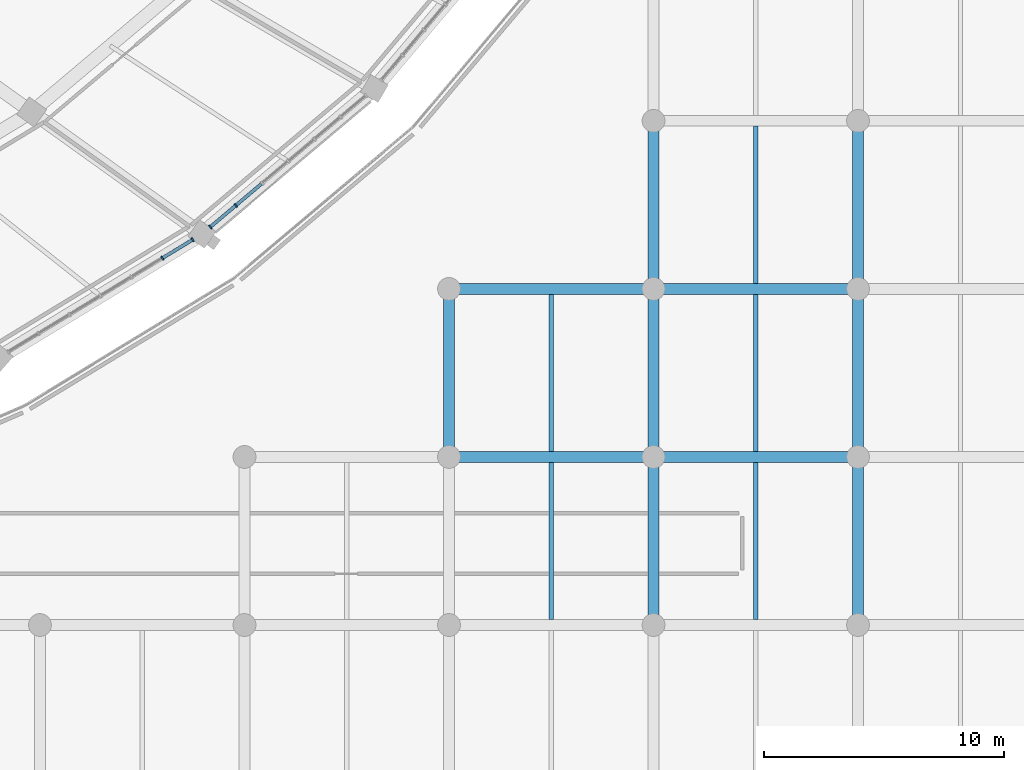
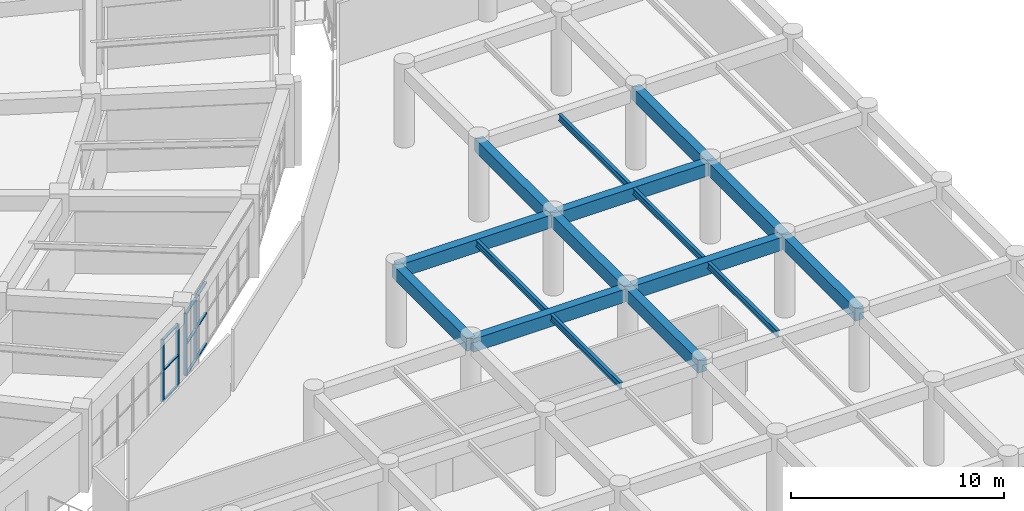
# One storey, part 42 of 152: 16 beams, 13 members, 2 elements without a shape of their own.
"""IFC4 building model written with IfcOpenShell, lengths in metres."""

from ifc_helpers import new_model, si_unit, direction, frame, origin, origin_2d, place, context, subcontext, project, spatial, rectangle, i_section, extrude, material, layer, layer_set, material_profile, profile_set, type_object, element, aggregate, save


model = new_model("IFC4")

# Units and contexts
model_context = context("Model", 3, precision=1e-05, world=origin(), true_north=direction((0.0, 1.0)))
body_context = subcontext(model_context, "Body", "Model", "MODEL_VIEW")
ifc_project = project(units=[si_unit("LENGTHUNIT", "METRE"), si_unit("AREAUNIT", "SQUARE_METRE"), si_unit("VOLUMEUNIT", "CUBIC_METRE"), si_unit("PLANEANGLEUNIT", "RADIAN"), si_unit("MASSUNIT", "GRAM", prefix="KILO")], contexts=[model_context])

# Site, building, storey
site_placement = place(None, origin())
site = spatial("IfcSite", under=ifc_project, at=site_placement, CompositionType="ELEMENT")
building_placement = place(site_placement, origin())
building = spatial("IfcBuilding", under=site, at=building_placement, Name="Mphavela Belvedere Stadium", CompositionType="ELEMENT")
storey_placement = place(building_placement, frame((0.0, 0.0, 5.39990234375)))
storey = spatial("IfcBuildingStorey", under=building, at=storey_placement, Name="L01", CompositionType="ELEMENT", Elevation=5.39990234375)

# Beams
ifc_material_1 = material(Name="Steel S355", Category="steel")
ifc_material_profile_1 = material_profile(ifc_material_1, i_section(OverallWidth=0.169921875, OverallDepth=0.360107421875, WebThickness=0.008056640625, FlangeThickness=0.0126953125, at=origin_2d()), Name="IPE 360")
ifc_profile_set_1 = profile_set([ifc_material_profile_1], Name="Steel S355")
beam_type_1 = type_object("IfcBeamType", Name="BM-JOIST-IPE360", PredefinedType="JOIST", material=ifc_profile_set_1)
for number, where, z_axis, x_axis, name in (
    (1, (208.70361328125, 14.22509765625, 4.360107421875), (0.0, 1.0, 0.0), (-1.0, 0.0, 0.0), "South Axial Triumphal Peristyle Portico secondary joist L01 25-3"),
    (2, (208.70361328125, 21.22509765625, 4.360107421875), (0.0, 1.0, 0.0), (-1.0, 0.0, 0.0), "South Axial Triumphal Peristyle Portico secondary joist L01 25-4"),
    (3, (217.221923828125, 14.22509765625, 4.360107421875), (0.0, 1.0, 0.0), (-1.0, 0.0, 0.0), "South Axial Triumphal Peristyle Portico secondary joist L01 26-3"),
    (4, (217.221923828125, 21.22509765625, 4.360107421875), (0.0, 1.0, 0.0), (-1.0, 0.0, 0.0), "South Axial Triumphal Peristyle Portico secondary joist L01 26-4"),
    (5, (217.221923828125, 28.22509765625, 4.360107421875), (0.0, 1.0, 0.0), (-1.0, 0.0, 0.0), "South Axial Triumphal Peristyle Portico secondary joist L01 26-5"),
):
    element("IfcBeam", number, at=place(storey_placement, frame(where, z_axis=z_axis, x_axis=x_axis)), inside=storey, type_object=beam_type_1, Name=name, PredefinedType="JOIST", context=body_context, shape_type="SweptSolid", body=[
        extrude(i_section(OverallWidth=0.169921875, OverallDepth=0.360107421875, WebThickness=0.008056640625, FlangeThickness=0.0126953125, at=origin_2d()), origin(), (0.0, 0.0, 1.0), 6.5498046875),
    ])
ifc_material_2 = material(Name="Concrete C40/50", Category="concrete")
ifc_material_profile_2 = material_profile(ifc_material_2, rectangle(XDim=0.449951171875, YDim=0.75, at=origin_2d()), Name="RC 450x750")
ifc_profile_set_2 = profile_set([ifc_material_profile_2], Name="Concrete C40/50")
beam_type_2 = type_object("IfcBeamType", Name="BM-RC450x750", PredefinedType="BEAM", material=ifc_profile_set_2)
beam_1_placement = place(storey_placement, frame((204.444091796875, 21.0, 4.1650390625), z_axis=(1.0, 0.0, 0.0), x_axis=(0.0, 1.0, 0.0)))
element("IfcBeam", 6, at=beam_1_placement, inside=storey, type_object=beam_type_2, Name="South Axial Triumphal Peristyle Portico entablature beam X L01 25-4", PredefinedType="BEAM", context=body_context, shape_type="SweptSolid", body=[
    extrude(rectangle(XDim=0.449951171875, YDim=0.75, at=origin_2d()), origin(), (0.0, 0.0, 1.0), 8.518798828125),
])
beam_2_placement = place(storey_placement, frame((204.444091796875, 21.0, 4.1650390625), z_axis=(0.0, 1.0, 0.0), x_axis=(-1.0, 0.0, 0.0)))
element("IfcBeam", 7, at=beam_2_placement, inside=storey, type_object=beam_type_2, Name="South Axial Triumphal Peristyle Portico entablature beam Y L01 25-4", PredefinedType="BEAM", context=body_context, shape_type="SweptSolid", body=[
    extrude(rectangle(XDim=0.449951171875, YDim=0.75, at=origin_2d()), origin(), (0.0, 0.0, 1.0), 7.0),
])
beam_3_placement = place(storey_placement, frame((204.444091796875, 28.0, 4.1650390625), z_axis=(1.0, 0.0, 0.0), x_axis=(0.0, 1.0, 0.0)))
element("IfcBeam", 8, at=beam_3_placement, inside=storey, type_object=beam_type_2, Name="South Axial Triumphal Peristyle Portico entablature beam X L01 25-5", PredefinedType="BEAM", context=body_context, shape_type="SweptSolid", body=[
    extrude(rectangle(XDim=0.449951171875, YDim=0.75, at=origin_2d()), origin(), (0.0, 0.0, 1.0), 8.518798828125),
])
beam_4_placement = place(storey_placement, frame((212.962890625, 14.0, 4.1650390625), z_axis=(0.0, 1.0, 0.0), x_axis=(-1.0, 0.0, 0.0)))
element("IfcBeam", 9, at=beam_4_placement, inside=storey, type_object=beam_type_2, Name="South Axial Triumphal Peristyle Portico entablature beam Y L01 26-3", PredefinedType="BEAM", context=body_context, shape_type="SweptSolid", body=[
    extrude(rectangle(XDim=0.449951171875, YDim=0.75, at=origin_2d()), origin(), (0.0, 0.0, 1.0), 7.0),
])
beam_5_placement = place(storey_placement, frame((212.962890625, 21.0, 4.1650390625), z_axis=(1.0, 0.0, 0.0), x_axis=(0.0, 1.0, 0.0)))
element("IfcBeam", 10, at=beam_5_placement, inside=storey, type_object=beam_type_2, Name="South Axial Triumphal Peristyle Portico entablature beam X L01 26-4", PredefinedType="BEAM", context=body_context, shape_type="SweptSolid", body=[
    extrude(rectangle(XDim=0.449951171875, YDim=0.75, at=origin_2d()), origin(), (0.0, 0.0, 1.0), 8.51806640625),
])
beam_6_placement = place(storey_placement, frame((212.962890625, 21.0, 4.1650390625), z_axis=(0.0, 1.0, 0.0), x_axis=(-1.0, 0.0, 0.0)))
element("IfcBeam", 11, at=beam_6_placement, inside=storey, type_object=beam_type_2, Name="South Axial Triumphal Peristyle Portico entablature beam Y L01 26-4", PredefinedType="BEAM", context=body_context, shape_type="SweptSolid", body=[
    extrude(rectangle(XDim=0.449951171875, YDim=0.75, at=origin_2d()), origin(), (0.0, 0.0, 1.0), 7.0),
])
beam_7_placement = place(storey_placement, frame((212.962890625, 28.0, 4.1650390625), z_axis=(1.0, 0.0, 0.0), x_axis=(0.0, 1.0, 0.0)))
element("IfcBeam", 12, at=beam_7_placement, inside=storey, type_object=beam_type_2, Name="South Axial Triumphal Peristyle Portico entablature beam X L01 26-5", PredefinedType="BEAM", context=body_context, shape_type="SweptSolid", body=[
    extrude(rectangle(XDim=0.449951171875, YDim=0.75, at=origin_2d()), origin(), (0.0, 0.0, 1.0), 8.51806640625),
])
for number, where, z_axis, x_axis, name in (
    (13, (212.962890625, 28.0, 4.1650390625), (0.0, 1.0, 0.0), (-1.0, 0.0, 0.0), "South Axial Triumphal Peristyle Portico entablature beam Y L01 26-5"),
    (14, (221.48095703125, 14.0, 4.1650390625), (0.0, 1.0, 0.0), (-1.0, 0.0, 0.0), "South Axial Triumphal Peristyle Portico entablature beam Y L01 27-3"),
    (15, (221.48095703125, 21.0, 4.1650390625), (0.0, 1.0, 0.0), (-1.0, 0.0, 0.0), "South Axial Triumphal Peristyle Portico entablature beam Y L01 27-4"),
    (16, (221.48095703125, 28.0, 4.1650390625), (0.0, 1.0, 0.0), (-1.0, 0.0, 0.0), "South Axial Triumphal Peristyle Portico entablature beam Y L01 27-5"),
):
    element("IfcBeam", number, at=place(storey_placement, frame(where, z_axis=z_axis, x_axis=x_axis)), inside=storey, type_object=beam_type_2, Name=name, PredefinedType="BEAM", context=body_context, shape_type="SweptSolid", body=[
        extrude(rectangle(XDim=0.449951171875, YDim=0.75, at=origin_2d()), origin(), (0.0, 0.0, 1.0), 7.0),
    ])

# Curtain wall, members
ifc_material_3 = material(Name="Anodised bronze unitised curtain wall framing")
ifc_layer_1 = layer(ifc_material_3, 0.18505859375)
ifc_layer_set_1 = layer_set([ifc_layer_1], Name="Anodised bronze unitised curtain wall framing")
curtain_wall_type_1 = type_object("IfcCurtainWallType", Name="CW-UNIT-02", PredefinedType="USERDEFINED", material=ifc_layer_set_1)
curtain_wall_1_placement = place(storey_placement, origin())
curtain_wall_1 = element("IfcCurtainWall", 17, at=curtain_wall_1_placement, inside=storey, type_object=curtain_wall_type_1, Name="Belvedere colonnade curtain wall L01-42", ObjectType="UNITISED CURTAIN WALL", PredefinedType="USERDEFINED")
ifc_material_4 = material(Name="Anodised bronze extruded aluminium", Category="aluminium")
ifc_material_profile_3 = material_profile(ifc_material_4, rectangle(XDim=0.179931640625, YDim=0.06494140625, at=origin_2d()), Name="CW-MUL 180x65")
ifc_profile_set_3 = profile_set([ifc_material_profile_3], Name="Anodised bronze extruded aluminium")
member_type_1 = type_object("IfcMemberType", Name="CWM-180x65", PredefinedType="MULLION", material=ifc_profile_set_3)
member_1_placement = place(storey_placement, frame((192.5048828125, 29.28125, 0.0), z_axis=(0.0, 0.0, 1.0), x_axis=(-0.51973463728, 0.8543277514, 0.0)))
member_1 = element("IfcMember", 18, at=member_1_placement, type_object=member_type_1, Name="CW-02 mullion 6", PredefinedType="MULLION", context=body_context, shape_type="SweptSolid", body=[
    extrude(rectangle(XDim=0.179931640625, YDim=0.06494140625, at=origin_2d()), origin(), (0.0, 0.0, 1.0), 3.570068359375),
])
member_2_placement = place(storey_placement, frame((193.766357421875, 30.048828125, 0.0), z_axis=(0.0, 0.0, 1.0), x_axis=(-0.51973463728, 0.8543277514, 0.0)))
member_2 = element("IfcMember", 19, at=member_2_placement, type_object=member_type_1, Name="CW-02 mullion 7", PredefinedType="MULLION", context=body_context, shape_type="SweptSolid", body=[
    extrude(rectangle(XDim=0.179931640625, YDim=0.06494140625, at=origin_2d()), origin(), (0.0, 0.0, 1.0), 3.570068359375),
])

ifc_material_5 = material(Name="Anodised bronze unitised curtain wall framing")
ifc_layer_2 = layer(ifc_material_5, 0.18994140625)
ifc_layer_set_2 = layer_set([ifc_layer_2], Name="Anodised bronze unitised curtain wall framing")
curtain_wall_type_2 = type_object("IfcCurtainWallType", Name="CW-UNIT-03", PredefinedType="USERDEFINED", material=ifc_layer_set_2)
curtain_wall_2_placement = place(storey_placement, origin())
curtain_wall_2 = element("IfcCurtainWall", 20, at=curtain_wall_2_placement, inside=storey, type_object=curtain_wall_type_2, Name="Belvedere colonnade curtain wall L01-43", ObjectType="UNITISED CURTAIN WALL", PredefinedType="USERDEFINED")
member_3_placement = place(storey_placement, frame((194.503662109375, 30.579345703125, 0.0), z_axis=(0.0, 0.0, 1.0), x_axis=(-0.644909572272, 0.76425888519, 0.0)))
member_3 = element("IfcMember", 21, at=member_3_placement, type_object=member_type_1, Name="CW-03 mullion 1", PredefinedType="MULLION", context=body_context, shape_type="SweptSolid", body=[
    extrude(rectangle(XDim=0.179931640625, YDim=0.06494140625, at=origin_2d()), origin(), (0.0, 0.0, 1.0), 3.570068359375),
])
member_4_placement = place(storey_placement, frame((195.568359375, 31.4775390625, 0.0), z_axis=(0.0, 0.0, 1.0), x_axis=(-0.644909572272, 0.76425888519, 0.0)))
member_4 = element("IfcMember", 22, at=member_4_placement, type_object=member_type_1, Name="CW-03 mullion 2", PredefinedType="MULLION", context=body_context, shape_type="SweptSolid", body=[
    extrude(rectangle(XDim=0.179931640625, YDim=0.06494140625, at=origin_2d()), origin(), (0.0, 0.0, 1.0), 3.570068359375),
])

# Member
ifc_material_6 = material(Name="Anodised bronze extruded aluminium", Category="aluminium")
ifc_material_profile_4 = material_profile(ifc_material_6, rectangle(XDim=0.139892578125, YDim=0.06005859375, at=origin_2d()), Name="CW-TRN 140x60")
ifc_profile_set_4 = profile_set([ifc_material_profile_4], Name="Anodised bronze extruded aluminium")
member_type_2 = type_object("IfcMemberType", Name="CWT-140x60", PredefinedType="USERDEFINED", material=ifc_profile_set_4)
member_5_placement = place(storey_placement, frame((192.532470703125, 29.298095703125, 0.030029296875), z_axis=(0.854395503331, 0.519623251874, 0.0), x_axis=(-0.519623251874, 0.854395503331, 0.0)))
member_5 = element("IfcMember", 23, at=member_5_placement, type_object=member_type_2, Name="CW-02 transom 6.1", ObjectType="TRANSOM", PredefinedType="USERDEFINED", context=body_context, shape_type="SweptSolid", body=[
    extrude(rectangle(XDim=0.139892578125, YDim=0.06005859375, at=origin_2d()), origin(), (0.0, 0.0, 1.0), 1.411865234375),
])

member_6_placement = place(storey_placement, frame((192.532470703125, 29.298095703125, 1.78515625), z_axis=(0.854395503331, 0.519623251874, 0.0), x_axis=(-0.519623251874, 0.854395503331, 0.0)))
member_6 = element("IfcMember", 24, at=member_6_placement, type_object=member_type_2, Name="CW-02 transom 6.2", ObjectType="TRANSOM", PredefinedType="USERDEFINED", context=body_context, shape_type="SweptSolid", body=[
    extrude(rectangle(XDim=0.139892578125, YDim=0.06005859375, at=origin_2d()), origin(), (0.0, 0.0, 1.0), 1.411865234375),
])

member_7_placement = place(storey_placement, frame((192.532470703125, 29.298095703125, 3.5400390625), z_axis=(0.854395503331, 0.519623251874, 0.0), x_axis=(-0.519623251874, 0.854395503331, 0.0)))
member_7 = element("IfcMember", 25, at=member_7_placement, type_object=member_type_2, Name="CW-02 transom 6.3", ObjectType="TRANSOM", PredefinedType="USERDEFINED", context=body_context, shape_type="SweptSolid", body=[
    extrude(rectangle(XDim=0.139892578125, YDim=0.06005859375, at=origin_2d()), origin(), (0.0, 0.0, 1.0), 1.411865234375),
])

aggregate(curtain_wall_1, [member_1, member_2, member_5, member_6, member_7])

member_8_placement = place(storey_placement, frame((194.528564453125, 30.60009765625, 0.030029296875), z_axis=(0.764243344003, 0.644927989118, 0.0), x_axis=(-0.644927989118, 0.764243344003, 0.0)))
member_8 = element("IfcMember", 26, at=member_8_placement, type_object=member_type_2, Name="CW-03 transom 1.1", ObjectType="TRANSOM", PredefinedType="USERDEFINED", context=body_context, shape_type="SweptSolid", body=[
    extrude(rectangle(XDim=0.139892578125, YDim=0.06005859375, at=origin_2d()), origin(), (0.0, 0.0, 1.0), 1.327880859375),
])

member_9_placement = place(storey_placement, frame((194.528564453125, 30.60009765625, 1.78515625), z_axis=(0.764243344003, 0.644927989118, 0.0), x_axis=(-0.644927989118, 0.764243344003, 0.0)))
member_9 = element("IfcMember", 27, at=member_9_placement, type_object=member_type_2, Name="CW-03 transom 1.2", ObjectType="TRANSOM", PredefinedType="USERDEFINED", context=body_context, shape_type="SweptSolid", body=[
    extrude(rectangle(XDim=0.139892578125, YDim=0.06005859375, at=origin_2d()), origin(), (0.0, 0.0, 1.0), 1.327880859375),
])

member_10_placement = place(storey_placement, frame((194.528564453125, 30.60009765625, 3.5400390625), z_axis=(0.764243344003, 0.644927989118, 0.0), x_axis=(-0.644927989118, 0.764243344003, 0.0)))
member_10 = element("IfcMember", 28, at=member_10_placement, type_object=member_type_2, Name="CW-03 transom 1.3", ObjectType="TRANSOM", PredefinedType="USERDEFINED", context=body_context, shape_type="SweptSolid", body=[
    extrude(rectangle(XDim=0.139892578125, YDim=0.06005859375, at=origin_2d()), origin(), (0.0, 0.0, 1.0), 1.327880859375),
])

member_11_placement = place(storey_placement, frame((195.593017578125, 31.49853515625, 0.030029296875), z_axis=(0.764338471847, 0.644815245209, 0.0), x_axis=(-0.644815245209, 0.764338471847, 0.0)))
member_11 = element("IfcMember", 29, at=member_11_placement, type_object=member_type_2, Name="CW-03 transom 2.1", ObjectType="TRANSOM", PredefinedType="USERDEFINED", context=body_context, shape_type="SweptSolid", body=[
    extrude(rectangle(XDim=0.139892578125, YDim=0.06005859375, at=origin_2d()), origin(), (0.0, 0.0, 1.0), 1.3603515625),
])

member_12_placement = place(storey_placement, frame((195.593017578125, 31.49853515625, 1.78515625), z_axis=(0.764338471847, 0.644815245209, 0.0), x_axis=(-0.644815245209, 0.764338471847, 0.0)))
member_12 = element("IfcMember", 30, at=member_12_placement, type_object=member_type_2, Name="CW-03 transom 2.2", ObjectType="TRANSOM", PredefinedType="USERDEFINED", context=body_context, shape_type="SweptSolid", body=[
    extrude(rectangle(XDim=0.139892578125, YDim=0.06005859375, at=origin_2d()), origin(), (0.0, 0.0, 1.0), 1.3603515625),
])

member_13_placement = place(storey_placement, frame((195.593017578125, 31.49853515625, 3.5400390625), z_axis=(0.764338471847, 0.644815245209, 0.0), x_axis=(-0.644815245209, 0.764338471847, 0.0)))
member_13 = element("IfcMember", 31, at=member_13_placement, type_object=member_type_2, Name="CW-03 transom 2.3", ObjectType="TRANSOM", PredefinedType="USERDEFINED", context=body_context, shape_type="SweptSolid", body=[
    extrude(rectangle(XDim=0.139892578125, YDim=0.06005859375, at=origin_2d()), origin(), (0.0, 0.0, 1.0), 1.3603515625),
])

aggregate(curtain_wall_2, [member_3, member_4, member_8, member_9, member_10, member_11, member_12, member_13])

save(model, "model.ifc")
